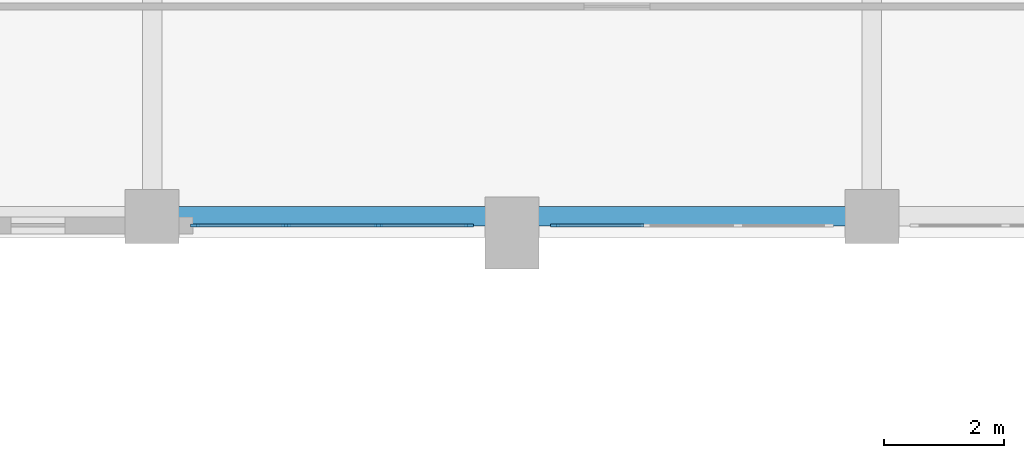
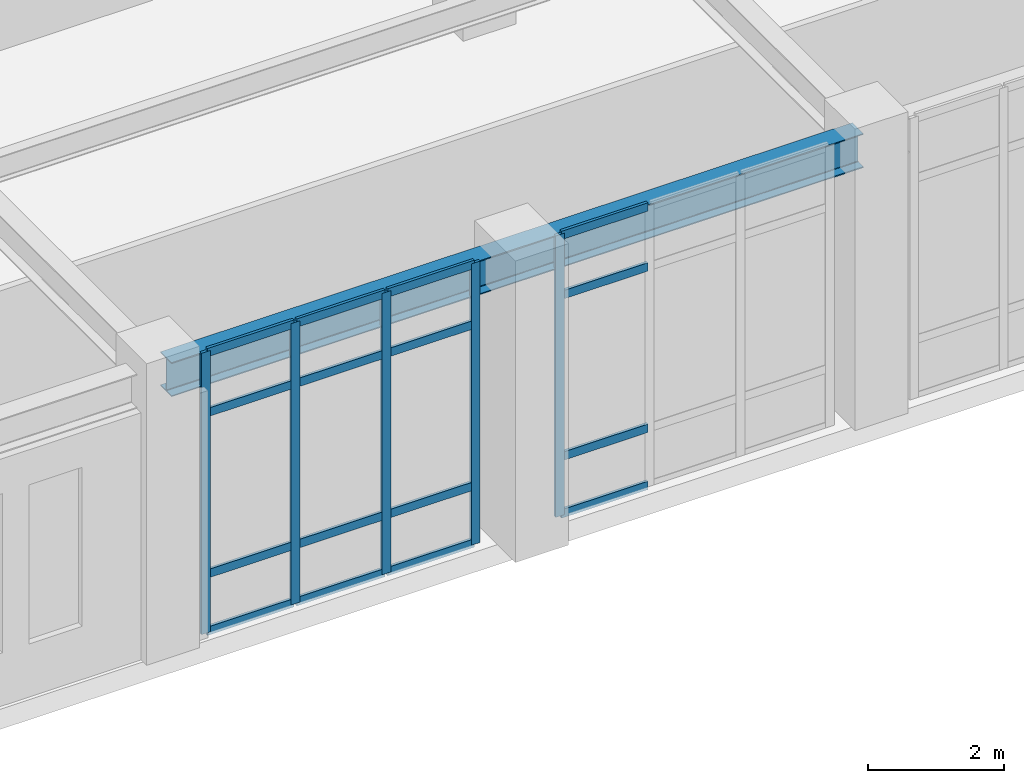
# One storey, part 59 of 159: 21 members, 1 beam, 2 elements without a shape of their own.
"""IFC4 building model written with IfcOpenShell, lengths in metres."""

from ifc_helpers import new_model, si_unit, derived_unit, direction, frame, origin, origin_2d, place, context, subcontext, project, spatial, rectangle, i_section, extrude, material, layer, layer_set, material_profile, profile_set, type_object, element, aggregate, save


model = new_model("IFC4")

# Units and contexts
model_context = context("Model", 3, precision=1e-05, world=origin(), true_north=direction((0.0, 1.0)))
body_context = subcontext(model_context, "Body", "Model", "MODEL_VIEW")
ifc_project = project(units=[si_unit("LENGTHUNIT", "METRE"), si_unit("AREAUNIT", "SQUARE_METRE"), si_unit("VOLUMEUNIT", "CUBIC_METRE"), si_unit("PLANEANGLEUNIT", "RADIAN"), si_unit("MASSUNIT", "GRAM", prefix="KILO"), derived_unit("THERMALTRANSMITTANCEUNIT", [(si_unit("MASSUNIT", "GRAM", prefix="KILO"), 1), (si_unit("TIMEUNIT", "SECOND"), -3), (si_unit("THERMODYNAMICTEMPERATUREUNIT", "KELVIN"), -1)])], contexts=[model_context])

# Site, building, storey
site_placement = place(None, origin())
site = spatial("IfcSite", under=ifc_project, at=site_placement, CompositionType="ELEMENT")
building_placement = place(site_placement, origin())
building = spatial("IfcBuilding", under=site, at=building_placement, Name="Valcora Ridge Arena", CompositionType="ELEMENT")
storey_placement = place(building_placement, frame((0.0, 0.0, 6.0)))
storey = spatial("IfcBuildingStorey", under=building, at=storey_placement, Name="L01", CompositionType="ELEMENT", Elevation=6.0)

# Beam
ifc_material_1 = material(Name="Steel ASTM A572 Grade 50", Category="steel")
ifc_material_profile_1 = material_profile(ifc_material_1, i_section(OverallWidth=0.324951171875, OverallDepth=0.612060546875, WebThickness=0.0126953125, FlangeThickness=0.01904296875, FilletRadius=0.01806640625, at=origin_2d()), Name="W24X104")
ifc_profile_set_1 = profile_set([ifc_material_profile_1], Name="Steel ASTM A572 Grade 50")
beam_type = type_object("IfcBeamType", Name="TY-BEAM-G-W24X104-X", PredefinedType="BEAM", material=ifc_profile_set_1)
beam_placement = place(storey_placement, frame((120.139892578125, 108.699951171875, 4.73388671875), z_axis=(1.0, 0.0, 0.0), x_axis=(0.0, 1.0, 0.0)))
element("IfcBeam", 1, at=beam_placement, inside=storey, type_object=beam_type, Name="G-W24X104-X BEM-G-W24X104-X-0043", PredefinedType="BEAM", context=body_context, shape_type="SweptSolid", body=[
    extrude(i_section(OverallWidth=0.324951171875, OverallDepth=0.612060546875, WebThickness=0.0126953125, FlangeThickness=0.01904296875, FilletRadius=0.01806640625, at=origin_2d()), origin(), (0.0, 0.0, 1.0), 11.72021484375),
])

# Curtain wall, members
ifc_material_2 = material(Name="Anodised dark bronze architectural aluminium 6063-T6", Category="aluminium")
ifc_layer = layer(ifc_material_2, 0.14990234375, Name="Anodised dark bronze architectural aluminium 6063-T6")
ifc_layer_set = layer_set([ifc_layer], Name="Anodised dark bronze architectural aluminium 6063-T6")
curtain_wall_type = type_object("IfcCurtainWallType", Name="TY-CURTAINWALL-CW-V5-MED-046X50", PredefinedType="NOTDEFINED", material=ifc_layer_set)
curtain_wall_1_placement = place(storey_placement, origin())
curtain_wall_1 = element("IfcCurtainWall", 2, at=curtain_wall_1_placement, inside=storey, type_object=curtain_wall_type, Name="CW-V5-MED-046X50 CW-0316", PredefinedType="NOTDEFINED")
ifc_material_profile_2 = material_profile(ifc_material_2, rectangle(XDim=0.050048828125, YDim=0.14990234375, at=origin_2d()), Name="ALU MULLION 50x150")
ifc_profile_set_2 = profile_set([ifc_material_profile_2], Name="Anodised dark bronze architectural aluminium 6063-T6")
member_type_1 = type_object("IfcMemberType", Name="TY-MEM-CWM-50x150", PredefinedType="MULLION", material=ifc_profile_set_2)
member_1_placement = place(storey_placement, frame((120.715087890625, 108.550048828125, 0.0), z_axis=(0.0, 0.0, 1.0), x_axis=(0.0, 1.0, 0.0)))
member_1 = element("IfcMember", 3, at=member_1_placement, type_object=member_type_1, Name="CW-0316/CWM-50x150/M00", PredefinedType="MULLION", context=body_context, shape_type="SweptSolid", body=[
    extrude(rectangle(XDim=0.050048828125, YDim=0.14990234375, at=origin_2d()), origin(), (0.0, 0.0, 1.0), 5.0400390625),
])
member_2_placement = place(storey_placement, frame((122.22998046875, 108.550048828125, 0.0), z_axis=(0.0, 0.0, 1.0), x_axis=(0.0, 1.0, 0.0)))
member_2 = element("IfcMember", 4, at=member_2_placement, type_object=member_type_1, Name="CW-0316/CWM-50x150/M01", PredefinedType="MULLION", context=body_context, shape_type="SweptSolid", body=[
    extrude(rectangle(XDim=0.050048828125, YDim=0.14990234375, at=origin_2d()), origin(), (0.0, 0.0, 1.0), 5.0400390625),
])
member_3_placement = place(storey_placement, frame((123.77001953125, 108.550048828125, 0.0), z_axis=(0.0, 0.0, 1.0), x_axis=(0.0, 1.0, 0.0)))
member_3 = element("IfcMember", 5, at=member_3_placement, type_object=member_type_1, Name="CW-0316/CWM-50x150/M02", PredefinedType="MULLION", context=body_context, shape_type="SweptSolid", body=[
    extrude(rectangle(XDim=0.050048828125, YDim=0.14990234375, at=origin_2d()), origin(), (0.0, 0.0, 1.0), 5.0400390625),
])
member_4_placement = place(storey_placement, frame((125.284912109375, 108.550048828125, 0.0), z_axis=(0.0, 0.0, 1.0), x_axis=(0.0, 1.0, 0.0)))
member_4 = element("IfcMember", 6, at=member_4_placement, type_object=member_type_1, Name="CW-0316/CWM-50x150/M03", PredefinedType="MULLION", context=body_context, shape_type="SweptSolid", body=[
    extrude(rectangle(XDim=0.050048828125, YDim=0.14990234375, at=origin_2d()), origin(), (0.0, 0.0, 1.0), 5.0400390625),
])

# Curtain wall, member
curtain_wall_2_placement = place(storey_placement, origin())
curtain_wall_2 = element("IfcCurtainWall", 7, at=curtain_wall_2_placement, inside=storey, type_object=curtain_wall_type, Name="CW-V5-MED-046X50 CW-0317", PredefinedType="NOTDEFINED")
member_5_placement = place(storey_placement, frame((126.715087890625, 108.550048828125, 0.0), z_axis=(0.0, 0.0, 1.0), x_axis=(0.0, 1.0, 0.0)))
member_5 = element("IfcMember", 8, at=member_5_placement, type_object=member_type_1, Name="CW-0317/CWM-50x150/M00", PredefinedType="MULLION", context=body_context, shape_type="SweptSolid", body=[
    extrude(rectangle(XDim=0.050048828125, YDim=0.14990234375, at=origin_2d()), origin(), (0.0, 0.0, 1.0), 5.0400390625),
])

# Member
ifc_material_profile_3 = material_profile(ifc_material_2, rectangle(XDim=0.050048828125, YDim=0.14990234375, at=origin_2d()), Name="ALU TRANSOM 50x150")
ifc_profile_set_3 = profile_set([ifc_material_profile_3], Name="Anodised dark bronze architectural aluminium 6063-T6")
member_type_2 = type_object("IfcMemberType", Name="TY-MEM-CWT-50x150", PredefinedType="USERDEFINED", material=ifc_profile_set_3)
member_6_placement = place(storey_placement, frame((120.739990234375, 108.550048828125, 0.02490234375), z_axis=(1.0, 0.0, 0.0), x_axis=(0.0, 1.0, 0.0)))
member_6 = element("IfcMember", 9, at=member_6_placement, type_object=member_type_2, Name="CW-0316/CWT-50x150/T00-00", ObjectType="TRANSOM", PredefinedType="USERDEFINED", context=body_context, shape_type="SweptSolid", body=[
    extrude(rectangle(XDim=0.050048828125, YDim=0.14990234375, at=origin_2d()), origin(), (0.0, 0.0, 1.0), 1.465087890625),
])

member_7_placement = place(storey_placement, frame((120.739990234375, 108.550048828125, 1.050048828125), z_axis=(1.0, 0.0, 0.0), x_axis=(0.0, 1.0, 0.0)))
member_7 = element("IfcMember", 10, at=member_7_placement, type_object=member_type_2, Name="CW-0316/CWT-50x150/T00-01", ObjectType="TRANSOM", PredefinedType="USERDEFINED", context=body_context, shape_type="SweptSolid", body=[
    extrude(rectangle(XDim=0.050048828125, YDim=0.14990234375, at=origin_2d()), origin(), (0.0, 0.0, 1.0), 1.465087890625),
])

member_8_placement = place(storey_placement, frame((120.739990234375, 108.550048828125, 3.93994140625), z_axis=(1.0, 0.0, 0.0), x_axis=(0.0, 1.0, 0.0)))
member_8 = element("IfcMember", 11, at=member_8_placement, type_object=member_type_2, Name="CW-0316/CWT-50x150/T00-02", ObjectType="TRANSOM", PredefinedType="USERDEFINED", context=body_context, shape_type="SweptSolid", body=[
    extrude(rectangle(XDim=0.050048828125, YDim=0.14990234375, at=origin_2d()), origin(), (0.0, 0.0, 1.0), 1.465087890625),
])

member_9_placement = place(storey_placement, frame((120.739990234375, 108.550048828125, 5.014892578125), z_axis=(1.0, 0.0, 0.0), x_axis=(0.0, 1.0, 0.0)))
member_9 = element("IfcMember", 12, at=member_9_placement, type_object=member_type_2, Name="CW-0316/CWT-50x150/T00-03", ObjectType="TRANSOM", PredefinedType="USERDEFINED", context=body_context, shape_type="SweptSolid", body=[
    extrude(rectangle(XDim=0.050048828125, YDim=0.14990234375, at=origin_2d()), origin(), (0.0, 0.0, 1.0), 1.465087890625),
])

member_10_placement = place(storey_placement, frame((122.2548828125, 108.550048828125, 0.02490234375), z_axis=(1.0, 0.0, 0.0), x_axis=(0.0, 1.0, 0.0)))
member_10 = element("IfcMember", 13, at=member_10_placement, type_object=member_type_2, Name="CW-0316/CWT-50x150/T01-00", ObjectType="TRANSOM", PredefinedType="USERDEFINED", context=body_context, shape_type="SweptSolid", body=[
    extrude(rectangle(XDim=0.050048828125, YDim=0.14990234375, at=origin_2d()), origin(), (0.0, 0.0, 1.0), 1.490234375),
])

member_11_placement = place(storey_placement, frame((122.2548828125, 108.550048828125, 1.050048828125), z_axis=(1.0, 0.0, 0.0), x_axis=(0.0, 1.0, 0.0)))
member_11 = element("IfcMember", 14, at=member_11_placement, type_object=member_type_2, Name="CW-0316/CWT-50x150/T01-01", ObjectType="TRANSOM", PredefinedType="USERDEFINED", context=body_context, shape_type="SweptSolid", body=[
    extrude(rectangle(XDim=0.050048828125, YDim=0.14990234375, at=origin_2d()), origin(), (0.0, 0.0, 1.0), 1.490234375),
])

member_12_placement = place(storey_placement, frame((122.2548828125, 108.550048828125, 3.93994140625), z_axis=(1.0, 0.0, 0.0), x_axis=(0.0, 1.0, 0.0)))
member_12 = element("IfcMember", 15, at=member_12_placement, type_object=member_type_2, Name="CW-0316/CWT-50x150/T01-02", ObjectType="TRANSOM", PredefinedType="USERDEFINED", context=body_context, shape_type="SweptSolid", body=[
    extrude(rectangle(XDim=0.050048828125, YDim=0.14990234375, at=origin_2d()), origin(), (0.0, 0.0, 1.0), 1.490234375),
])

member_13_placement = place(storey_placement, frame((122.2548828125, 108.550048828125, 5.014892578125), z_axis=(1.0, 0.0, 0.0), x_axis=(0.0, 1.0, 0.0)))
member_13 = element("IfcMember", 16, at=member_13_placement, type_object=member_type_2, Name="CW-0316/CWT-50x150/T01-03", ObjectType="TRANSOM", PredefinedType="USERDEFINED", context=body_context, shape_type="SweptSolid", body=[
    extrude(rectangle(XDim=0.050048828125, YDim=0.14990234375, at=origin_2d()), origin(), (0.0, 0.0, 1.0), 1.490234375),
])

member_14_placement = place(storey_placement, frame((123.794921875, 108.550048828125, 0.02490234375), z_axis=(1.0, 0.0, 0.0), x_axis=(0.0, 1.0, 0.0)))
member_14 = element("IfcMember", 17, at=member_14_placement, type_object=member_type_2, Name="CW-0316/CWT-50x150/T02-00", ObjectType="TRANSOM", PredefinedType="USERDEFINED", context=body_context, shape_type="SweptSolid", body=[
    extrude(rectangle(XDim=0.050048828125, YDim=0.14990234375, at=origin_2d()), origin(), (0.0, 0.0, 1.0), 1.465087890625),
])

member_15_placement = place(storey_placement, frame((123.794921875, 108.550048828125, 1.050048828125), z_axis=(1.0, 0.0, 0.0), x_axis=(0.0, 1.0, 0.0)))
member_15 = element("IfcMember", 18, at=member_15_placement, type_object=member_type_2, Name="CW-0316/CWT-50x150/T02-01", ObjectType="TRANSOM", PredefinedType="USERDEFINED", context=body_context, shape_type="SweptSolid", body=[
    extrude(rectangle(XDim=0.050048828125, YDim=0.14990234375, at=origin_2d()), origin(), (0.0, 0.0, 1.0), 1.465087890625),
])

member_16_placement = place(storey_placement, frame((123.794921875, 108.550048828125, 3.93994140625), z_axis=(1.0, 0.0, 0.0), x_axis=(0.0, 1.0, 0.0)))
member_16 = element("IfcMember", 19, at=member_16_placement, type_object=member_type_2, Name="CW-0316/CWT-50x150/T02-02", ObjectType="TRANSOM", PredefinedType="USERDEFINED", context=body_context, shape_type="SweptSolid", body=[
    extrude(rectangle(XDim=0.050048828125, YDim=0.14990234375, at=origin_2d()), origin(), (0.0, 0.0, 1.0), 1.465087890625),
])

member_17_placement = place(storey_placement, frame((123.794921875, 108.550048828125, 5.014892578125), z_axis=(1.0, 0.0, 0.0), x_axis=(0.0, 1.0, 0.0)))
member_17 = element("IfcMember", 20, at=member_17_placement, type_object=member_type_2, Name="CW-0316/CWT-50x150/T02-03", ObjectType="TRANSOM", PredefinedType="USERDEFINED", context=body_context, shape_type="SweptSolid", body=[
    extrude(rectangle(XDim=0.050048828125, YDim=0.14990234375, at=origin_2d()), origin(), (0.0, 0.0, 1.0), 1.465087890625),
])

aggregate(curtain_wall_1, [member_1, member_2, member_3, member_4, member_6, member_7, member_8, member_9, member_10, member_11, member_12, member_13, member_14, member_15, member_16, member_17])

member_18_placement = place(storey_placement, frame((126.739990234375, 108.550048828125, 0.02490234375), z_axis=(1.0, 0.0, 0.0), x_axis=(0.0, 1.0, 0.0)))
member_18 = element("IfcMember", 21, at=member_18_placement, type_object=member_type_2, Name="CW-0317/CWT-50x150/T00-00", ObjectType="TRANSOM", PredefinedType="USERDEFINED", context=body_context, shape_type="SweptSolid", body=[
    extrude(rectangle(XDim=0.050048828125, YDim=0.14990234375, at=origin_2d()), origin(), (0.0, 0.0, 1.0), 1.465087890625),
])

member_19_placement = place(storey_placement, frame((126.739990234375, 108.550048828125, 1.050048828125), z_axis=(1.0, 0.0, 0.0), x_axis=(0.0, 1.0, 0.0)))
member_19 = element("IfcMember", 22, at=member_19_placement, type_object=member_type_2, Name="CW-0317/CWT-50x150/T00-01", ObjectType="TRANSOM", PredefinedType="USERDEFINED", context=body_context, shape_type="SweptSolid", body=[
    extrude(rectangle(XDim=0.050048828125, YDim=0.14990234375, at=origin_2d()), origin(), (0.0, 0.0, 1.0), 1.465087890625),
])

member_20_placement = place(storey_placement, frame((126.739990234375, 108.550048828125, 3.93994140625), z_axis=(1.0, 0.0, 0.0), x_axis=(0.0, 1.0, 0.0)))
member_20 = element("IfcMember", 23, at=member_20_placement, type_object=member_type_2, Name="CW-0317/CWT-50x150/T00-02", ObjectType="TRANSOM", PredefinedType="USERDEFINED", context=body_context, shape_type="SweptSolid", body=[
    extrude(rectangle(XDim=0.050048828125, YDim=0.14990234375, at=origin_2d()), origin(), (0.0, 0.0, 1.0), 1.465087890625),
])

member_21_placement = place(storey_placement, frame((126.739990234375, 108.550048828125, 5.014892578125), z_axis=(1.0, 0.0, 0.0), x_axis=(0.0, 1.0, 0.0)))
member_21 = element("IfcMember", 24, at=member_21_placement, type_object=member_type_2, Name="CW-0317/CWT-50x150/T00-03", ObjectType="TRANSOM", PredefinedType="USERDEFINED", context=body_context, shape_type="SweptSolid", body=[
    extrude(rectangle(XDim=0.050048828125, YDim=0.14990234375, at=origin_2d()), origin(), (0.0, 0.0, 1.0), 1.465087890625),
])

aggregate(curtain_wall_2, [member_5, member_18, member_19, member_20, member_21])

save(model, "model.ifc")
